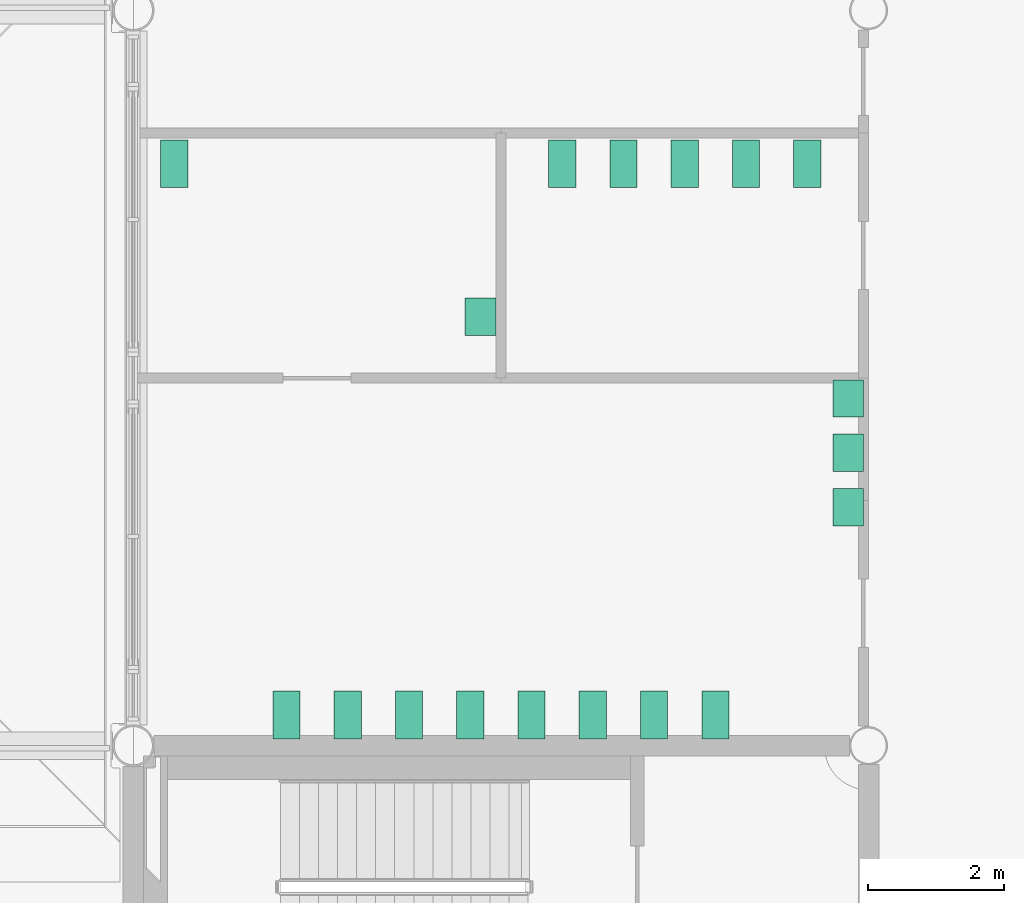
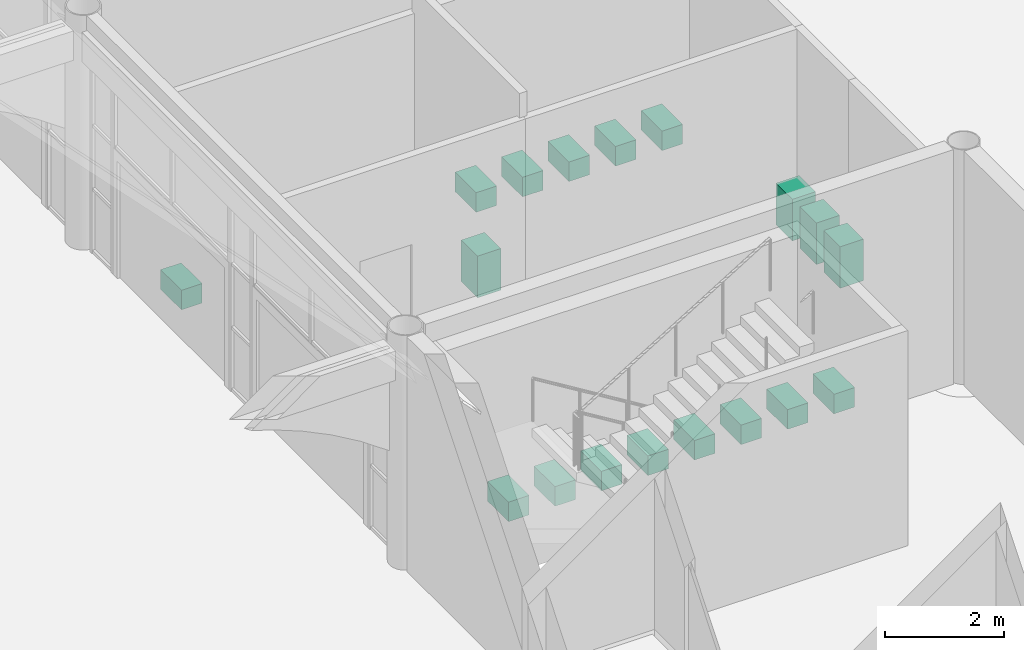
# One storey, part 90 of 91: 18 sanitary terminals.
"""IFC4 building model written with IfcOpenShell, lengths in metres."""

from ifc_helpers import new_model, si_unit, direction, frame, origin, origin_2d, place, context, subcontext, project, spatial, rectangle, extrude, element, save


model = new_model("IFC4")

# Units and contexts
model_context = context("Model", 3, precision=1e-05, world=origin(), true_north=direction((0.0, 1.0)))
body_context = subcontext(model_context, "Body", "Model", "MODEL_VIEW")
ifc_project = project(units=[si_unit("LENGTHUNIT", "METRE"), si_unit("AREAUNIT", "SQUARE_METRE"), si_unit("VOLUMEUNIT", "CUBIC_METRE"), si_unit("PLANEANGLEUNIT", "RADIAN"), si_unit("MASSUNIT", "GRAM", prefix="KILO")], contexts=[model_context])

# Site, building, storey
site_placement = place(None, origin())
site = spatial("IfcSite", under=ifc_project, at=site_placement, CompositionType="ELEMENT")
building_placement = place(site_placement, origin())
building = spatial("IfcBuilding", under=site, at=building_placement, Name="Magnolia Steps Interchange", CompositionType="ELEMENT")
storey_placement = place(building_placement, origin())
storey = spatial("IfcBuildingStorey", under=building, at=storey_placement, Name="L00", CompositionType="ELEMENT", Elevation=0.0)

# Sanitary terminals
for number, where, z_axis, x_axis, name in (
    (1, (55.449951171875, 53.64990234375, 0.0), (0.0, 0.0, 1.0), (1.0, 0.0, 0.0), "WC pan 1"),
    (2, (56.35009765625, 53.64990234375, 0.0), (0.0, 0.0, 1.0), (1.0, 0.0, 0.0), "WC pan 2"),
    (3, (57.25, 53.64990234375, 0.0), (0.0, 0.0, 1.0), (1.0, 0.0, 0.0), "WC pan 3"),
    (4, (58.14990234375, 53.64990234375, 0.0), (0.0, 0.0, 1.0), (1.0, 0.0, 0.0), "WC pan 4"),
    (5, (59.050048828125, 53.64990234375, 0.0), (0.0, 0.0, 1.0), (1.0, 0.0, 0.0), "WC pan 5"),
    (6, (59.949951171875, 53.64990234375, 0.0), (0.0, 0.0, 1.0), (1.0, 0.0, 0.0), "WC pan 6"),
    (7, (60.85009765625, 53.64990234375, 0.0), (0.0, 0.0, 1.0), (1.0, 0.0, 0.0), "WC pan 7"),
    (8, (61.75, 53.64990234375, 0.0), (0.0, 0.0, 1.0), (1.0, 0.0, 0.0), "WC pan 8"),
):
    element("IfcSanitaryTerminal", number, at=place(storey_placement, frame(where, z_axis=z_axis, x_axis=x_axis)), inside=storey, Name=name, PredefinedType="TOILETPAN", context=body_context, shape_type="SweptSolid", body=[
        extrude(rectangle(XDim=0.39990234375, YDim=0.699951171875, at=origin_2d()), origin(), (0.0, 0.0, 1.0), 0.39990234375),
    ])
for number, where, z_axis, x_axis, name in (
    (9, (63.699951171875, 56.699951171875, 0.0), (0.0, 0.0, 1.0), (1.0, 0.0, 0.0), "Wash basin 2"),
    (10, (63.699951171875, 57.5, 0.0), (0.0, 0.0, 1.0), (1.0, 0.0, 0.0), "Wash basin 3"),
    (11, (63.699951171875, 58.300048828125, 0.0), (0.0, 0.0, 1.0), (1.0, 0.0, 0.0), "Wash basin 4"),
):
    element("IfcSanitaryTerminal", number, at=place(storey_placement, frame(where, z_axis=z_axis, x_axis=x_axis)), inside=storey, Name=name, PredefinedType="WASHHANDBASIN", context=body_context, shape_type="SweptSolid", body=[
        extrude(rectangle(XDim=0.449951171875, YDim=0.550048828125, at=origin_2d()), origin(), (0.0, 0.0, 1.0), 0.85009765625),
    ])
sanitary_terminal_1_placement = place(storey_placement, frame((53.800048828125, 61.75, 0.0), z_axis=(0.0, 0.0, 1.0), x_axis=(1.0, 0.0, 0.0)))
element("IfcSanitaryTerminal", 12, at=sanitary_terminal_1_placement, inside=storey, Name="WC pan 1", PredefinedType="TOILETPAN", context=body_context, shape_type="SweptSolid", body=[
    extrude(rectangle(XDim=0.39990234375, YDim=0.699951171875, at=origin_2d()), origin(), (0.0, 0.0, 1.0), 0.39990234375),
])
sanitary_terminal_2_placement = place(storey_placement, frame((58.300048828125, 59.5, 0.0), z_axis=(0.0, 0.0, 1.0), x_axis=(1.0, 0.0, 0.0)))
element("IfcSanitaryTerminal", 13, at=sanitary_terminal_2_placement, inside=storey, Name="Wash basin 1", PredefinedType="WASHHANDBASIN", context=body_context, shape_type="SweptSolid", body=[
    extrude(rectangle(XDim=0.449951171875, YDim=0.550048828125, at=origin_2d()), origin(), (0.0, 0.0, 1.0), 0.85009765625),
])
for number, where, z_axis, x_axis, name in (
    (14, (59.5, 61.75, 0.0), (0.0, 0.0, 1.0), (1.0, 0.0, 0.0), "WC pan 1"),
    (15, (60.39990234375, 61.75, 0.0), (0.0, 0.0, 1.0), (1.0, 0.0, 0.0), "WC pan 2"),
    (16, (61.300048828125, 61.75, 0.0), (0.0, 0.0, 1.0), (1.0, 0.0, 0.0), "WC pan 3"),
    (17, (62.199951171875, 61.75, 0.0), (0.0, 0.0, 1.0), (1.0, 0.0, 0.0), "WC pan 4"),
    (18, (63.10009765625, 61.75, 0.0), (0.0, 0.0, 1.0), (1.0, 0.0, 0.0), "WC pan 5"),
):
    element("IfcSanitaryTerminal", number, at=place(storey_placement, frame(where, z_axis=z_axis, x_axis=x_axis)), inside=storey, Name=name, PredefinedType="TOILETPAN", context=body_context, shape_type="SweptSolid", body=[
        extrude(rectangle(XDim=0.39990234375, YDim=0.699951171875, at=origin_2d()), origin(), (0.0, 0.0, 1.0), 0.39990234375),
    ])

save(model, "model.ifc")
